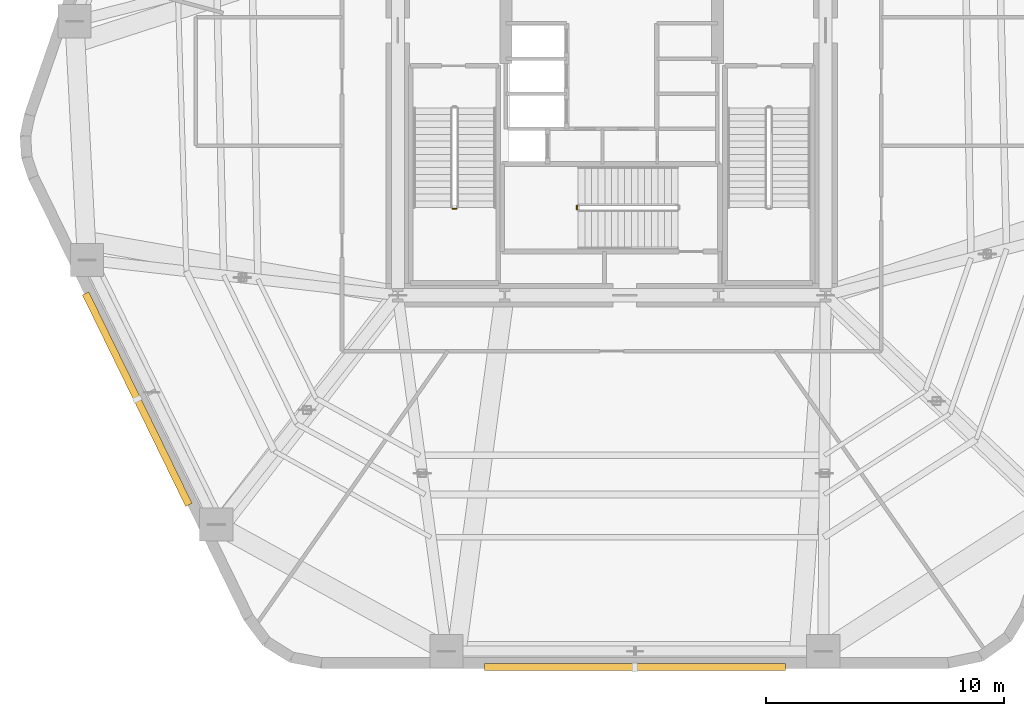
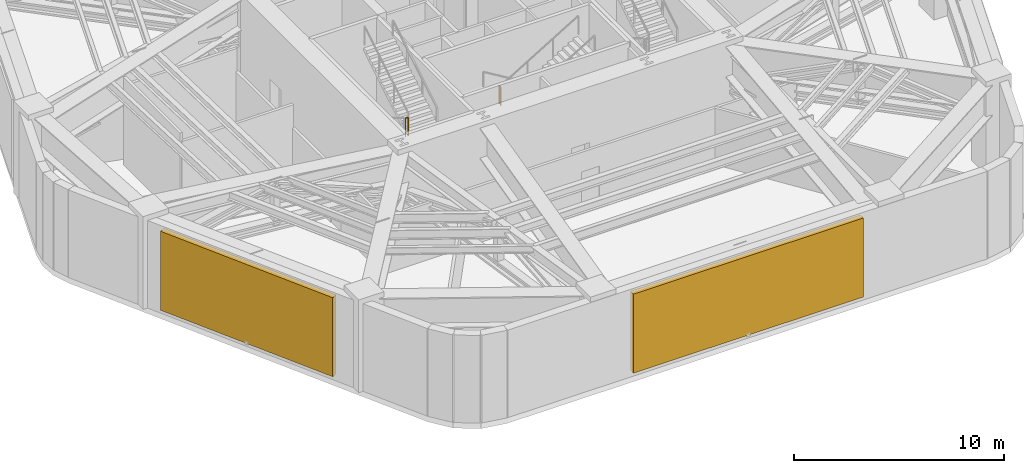
# One storey, part 9 of 11: 2 railings, 2 shading devices.
"""IFC4 building model written with IfcOpenShell, lengths in metres."""

from ifc_helpers import new_model, si_unit, direction, frame, origin, origin_2d, place, context, subcontext, project, spatial, rectangle, extrude, material, layer, layer_set, type_object, element, save


model = new_model("IFC4")

# Units and contexts
model_context = context("Model", 3, precision=1e-05, world=origin(), true_north=direction((0.0, 1.0)))
body_context = subcontext(model_context, "Body", "Model", "MODEL_VIEW")
ifc_project = project(units=[si_unit("LENGTHUNIT", "METRE"), si_unit("AREAUNIT", "SQUARE_METRE"), si_unit("VOLUMEUNIT", "CUBIC_METRE"), si_unit("PLANEANGLEUNIT", "RADIAN"), si_unit("MASSUNIT", "GRAM", prefix="KILO")], contexts=[model_context])

# Site, building, storey
site_placement = place(None, origin())
site = spatial("IfcSite", under=ifc_project, at=site_placement, CompositionType="ELEMENT")
building_placement = place(site_placement, origin())
building = spatial("IfcBuilding", under=site, at=building_placement, Name="Kilnhurst Terrace Hotel", CompositionType="ELEMENT")
storey_placement = place(building_placement, frame((0.0, 0.0, 86.0)))
storey = spatial("IfcBuildingStorey", under=building, at=storey_placement, Name="L20", CompositionType="ELEMENT", Elevation=86.0)

# Railings
ifc_material_1 = material(Name="Powder-Coated Steel ASTM A500 Grade B", Category="steel")
ifc_layer_1 = layer(ifc_material_1, 0.050048828125, Name="Powder-Coated Steel ASTM A500 Grade B")
ifc_layer_set_1 = layer_set([ifc_layer_1], Name="Powder-Coated Steel ASTM A500 Grade B")
railing_type = type_object("IfcRailingType", Name="RLG-ST-GRD-1100", PredefinedType="GUARDRAIL", material=ifc_layer_set_1)
railing_1_placement = place(storey_placement, frame((-6.68994140625, -3.860107421875, 2.699951171875)))
element("IfcRailing", 1, at=railing_1_placement, inside=storey, type_object=railing_type, Name="L20 ST-1 stair guard 2", PredefinedType="GUARDRAIL", context=body_context, shape_type="SweptSolid", body=[
    extrude(rectangle(XDim=0.048095703125, YDim=0.048095703125, at=origin_2d()), frame((0.0, 0.0, 1.076171875), z_axis=(1.0, 0.0, 0.0), x_axis=(0.0, 1.0, 0.0)), (0.0, 0.0, 1.0), 0.14990234375),
    extrude(rectangle(XDim=0.0419921875, YDim=0.0419921875, at=origin_2d()), origin(), (0.0, 0.0, 1.0), 1.052001953125),
    extrude(rectangle(XDim=0.0419921875, YDim=0.0419921875, at=origin_2d()), frame((0.14990234375, 0.0, 0.0)), (0.0, 0.0, 1.0), 1.052001953125),
])
railing_2_placement = place(storey_placement, frame((-1.4599609375, -3.739990234375, 2.699951171875)))
element("IfcRailing", 2, at=railing_2_placement, inside=storey, type_object=railing_type, Name="L20 ST-3 stair guard 2", PredefinedType="GUARDRAIL", context=body_context, shape_type="SweptSolid", body=[
    extrude(rectangle(XDim=0.048095703125, YDim=0.048095703125, at=origin_2d()), frame((0.0, 0.0, 1.076171875), z_axis=(0.0, -1.0, 0.0), x_axis=(1.0, 0.0, 0.0)), (0.0, 0.0, 1.0), 0.14990234375),
    extrude(rectangle(XDim=0.0419921875, YDim=0.0419921875, at=origin_2d()), origin(), (0.0, 0.0, 1.0), 1.052001953125),
    extrude(rectangle(XDim=0.0419921875, YDim=0.0419921875, at=origin_2d()), frame((0.0, -0.14990234375, 0.0)), (0.0, 0.0, 1.0), 1.052001953125),
])

# Shading devices
ifc_material_2 = material(Name="Bronze Anodized Extruded Aluminium Alloy 6063-T6", Category="aluminium")
ifc_layer_2 = layer(ifc_material_2, 0.300048828125, Name="Bronze Anodized Extruded Aluminium Alloy 6063-T6")
ifc_layer_set_2 = layer_set([ifc_layer_2], Name="Bronze Anodized Extruded Aluminium Alloy 6063-T6")
shading_device_type = type_object("IfcShadingDeviceType", Name="SHD-LVR-4600", PredefinedType="USERDEFINED", material=ifc_layer_set_2)
shading_device_1_placement = place(storey_placement, frame((0.973388671875, -23.14990234375, 0.25), z_axis=(0.0, 0.0, 1.0), x_axis=(1.0, 0.0, 0.0)))
element("IfcShadingDevice", 3, at=shading_device_1_placement, inside=storey, type_object=shading_device_type, Name="L20 Mechanical Intake Storm Louvre F1", ObjectType="LOUVRE", PredefinedType="USERDEFINED", context=body_context, shape_type="SweptSolid", body=[
    extrude(rectangle(XDim=12.6669921875, YDim=0.300048828125, at=origin_2d()), origin(), (0.0, 0.0, 1.0), 4.60009765625),
])
shading_device_2_placement = place(storey_placement, frame((-19.966796875, -11.87451171875, 0.25), z_axis=(0.0, 0.0, 1.0), x_axis=(0.438935789176, -0.898518432188, 0.0)))
element("IfcShadingDevice", 4, at=shading_device_2_placement, inside=storey, type_object=shading_device_type, Name="L20 Mechanical Intake Storm Louvre F6", ObjectType="LOUVRE", PredefinedType="USERDEFINED", context=body_context, shape_type="SweptSolid", body=[
    extrude(rectangle(XDim=9.89892578125, YDim=0.300048828125, at=origin_2d()), origin(), (0.0, 0.0, 1.0), 4.60009765625),
])

save(model, "model.ifc")
